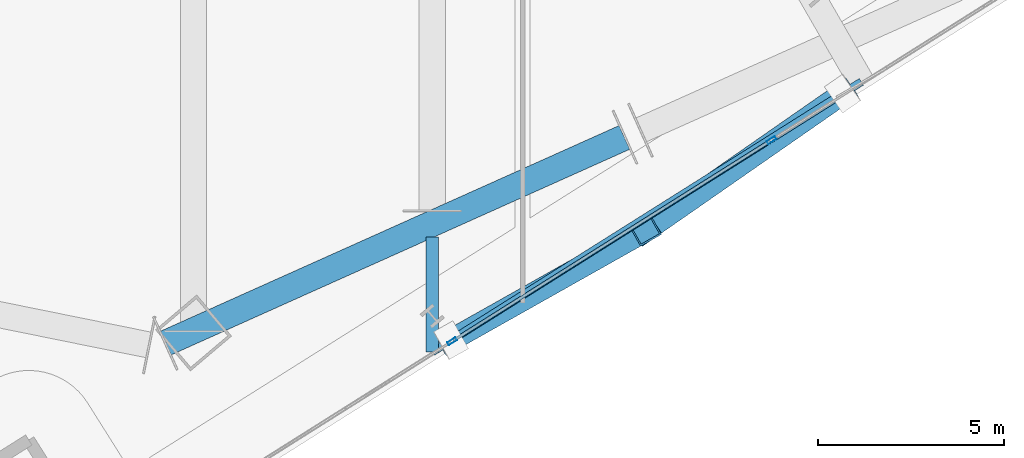
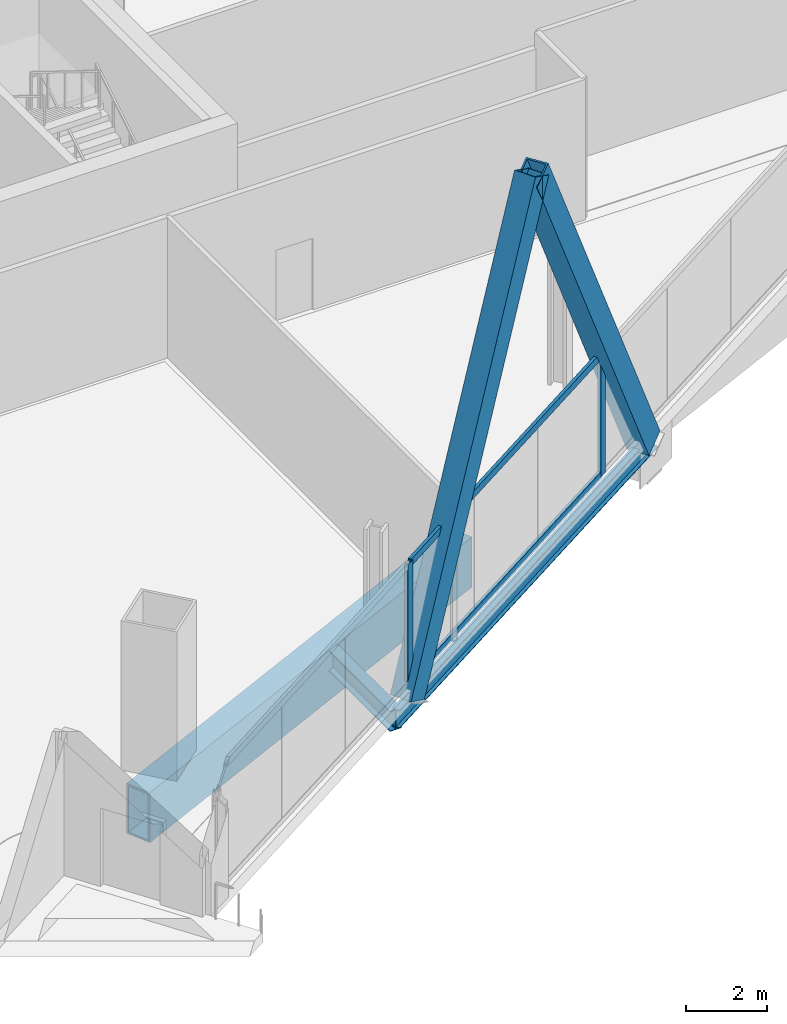
# One storey, part 5 of 29: 6 members, 3 beams, 1 element without a shape of its own.
"""IFC4 building model written with IfcOpenShell, lengths in metres."""

from ifc_helpers import new_model, si_unit, direction, frame, origin, origin_2d, place, context, subcontext, project, spatial, hollow_rectangle, i_section, extrude, material, material_profile, profile_set, type_object, element, aggregate, save


model = new_model("IFC4")

# Units and contexts
model_context = context("Model", 3, precision=1e-05, world=origin(), true_north=direction((0.0, 1.0)))
body_context = subcontext(model_context, "Body", "Model", "MODEL_VIEW")
ifc_project = project(units=[si_unit("LENGTHUNIT", "METRE"), si_unit("AREAUNIT", "SQUARE_METRE"), si_unit("VOLUMEUNIT", "CUBIC_METRE"), si_unit("PLANEANGLEUNIT", "RADIAN"), si_unit("MASSUNIT", "GRAM", prefix="KILO")], contexts=[model_context])

# Site, building, storey
site_placement = place(None, origin())
site = spatial("IfcSite", under=ifc_project, at=site_placement, CompositionType="ELEMENT")
building_placement = place(site_placement, origin())
building = spatial("IfcBuilding", under=site, at=building_placement, Name="Haldenkirk Collegiate Tower", CompositionType="ELEMENT")
storey_placement = place(building_placement, frame((0.0, 0.0, 136.199951171875)))
storey = spatial("IfcBuildingStorey", under=building, at=storey_placement, Name="L33", CompositionType="ELEMENT", Elevation=136.199951171875)

# Beams
ifc_material_1 = material(Name="Steel ASTM A992 Grade 50", Category="steel")
ifc_material_profile_1 = material_profile(ifc_material_1, i_section(OverallWidth=0.324951171875, OverallDepth=0.615966796875, WebThickness=0.013916015625, FlangeThickness=0.021484375, at=origin_2d()), Name="W24X117")
ifc_profile_set_1 = profile_set([ifc_material_profile_1], Name="Steel ASTM A992 Grade 50")
beam_type_1 = type_object("IfcBeamType", Name="BM-GIRDER-W24X117", PredefinedType="BEAM", material=ifc_profile_set_1)
beam_1_placement = place(storey_placement, frame((39.568603515625, 3.239501953125, -0.7080078125), z_axis=(0.0, -1.0, 0.0), x_axis=(1.0, 0.0, 0.0)))
element("IfcBeam", 1, at=beam_1_placement, inside=storey, type_object=beam_type_1, Name="L33 facade lookout girder 05", PredefinedType="BEAM", context=body_context, shape_type="SweptSolid", body=[
    extrude(i_section(OverallWidth=0.324951171875, OverallDepth=0.615966796875, WebThickness=0.013916015625, FlangeThickness=0.021484375, at=origin_2d()), origin(), (0.0, 0.0, 1.0), 3.094482421875),
])
ifc_material_profile_2 = material_profile(ifc_material_1, i_section(OverallWidth=0.2119140625, OverallDepth=0.5439453125, WebThickness=0.01318359375, FlangeThickness=0.021240234375, at=origin_2d()), Name="W21X83")
ifc_profile_set_2 = profile_set([ifc_material_profile_2], Name="Steel ASTM A992 Grade 50")
beam_type_2 = type_object("IfcBeamType", Name="BM-SPANDREL-W21X83", PredefinedType="SPANDREL", material=ifc_profile_set_2)
beam_2_placement = place(storey_placement, frame((39.568603515625, 0.14501953125, -0.671875), z_axis=(0.846193969754, 0.532874999932, 0.0), x_axis=(-0.532874999932, 0.846193969754, 0.0)))
element("IfcBeam", 2, at=beam_2_placement, inside=storey, type_object=beam_type_2, Name="L33 outer facade edge beam 1", PredefinedType="SPANDREL", context=body_context, shape_type="SweptSolid", body=[
    extrude(i_section(OverallWidth=0.2119140625, OverallDepth=0.5439453125, WebThickness=0.01318359375, FlangeThickness=0.021240234375, at=origin_2d()), origin(), (0.0, 0.0, 1.0), 13.63623046875),
])
ifc_material_2 = material(Name="Steel ASTM A572 Grade 50", Category="steel")
ifc_material_profile_3 = material_profile(ifc_material_2, hollow_rectangle(XDim=0.699951171875, YDim=1.5, WallThickness=0.06005859375, at=origin_2d()), Name="BOX1500X700X60")
ifc_profile_set_3 = profile_set([ifc_material_profile_3], Name="Steel ASTM A572 Grade 50")
beam_type_3 = type_object("IfcBeamType", Name="BM-TRANSFER-BOX1500X700X60", PredefinedType="BEAM", material=ifc_profile_set_3)
beam_3_placement = place(storey_placement, frame((32.405517578125, 0.3876953125, -1.14990234375), z_axis=(0.912476765144, 0.409128528793, 0.0), x_axis=(-0.409128528793, 0.912476765144, 0.0)))
element("IfcBeam", 3, at=beam_3_placement, inside=storey, type_object=beam_type_3, Name="L33 sky-lobby perimeter transfer girder 02", PredefinedType="BEAM", context=body_context, shape_type="SweptSolid", body=[
    extrude(hollow_rectangle(XDim=0.699951171875, YDim=1.5, WallThickness=0.06005859375, at=origin_2d()), origin(), (0.0, 0.0, 1.0), 13.512939453125),
])

# Curtain wall, members
ifc_material_3 = material(Name="Anodised architectural bronze aluminium", Category="aluminium")
curtain_wall_type = type_object("IfcCurtainWallType", Name="CW-SYS4-SKYGARDEN", PredefinedType="USERDEFINED", material=ifc_material_3)
curtain_wall_placement = place(storey_placement, origin())
curtain_wall = element("IfcCurtainWall", 4, at=curtain_wall_placement, inside=storey, type_object=curtain_wall_type, Name="L33 Sky-garden tall bronze curtain wall", ObjectType="UNITISED CURTAIN WALL", PredefinedType="USERDEFINED")
ifc_material_profile_4 = material_profile(ifc_material_3, hollow_rectangle(XDim=0.090087890625, YDim=0.260009765625, WallThickness=0.0048828125, at=origin_2d()), Name="CW-MUL-04")
ifc_profile_set_4 = profile_set([ifc_material_profile_4], Name="Anodised architectural bronze aluminium")
member_type_1 = type_object("IfcMemberType", Name="CW-MUL-04", PredefinedType="MULLION", material=ifc_profile_set_4)
member_1_placement = place(storey_placement, frame((48.693115234375, 5.84375, 0.0), z_axis=(0.0, 0.0, 1.0), x_axis=(0.532875393956, -0.846193721624, 0.0)))
member_1 = element("IfcMember", 5, at=member_1_placement, type_object=member_type_1, Name="CW-04 mullion 3", PredefinedType="MULLION", context=body_context, shape_type="SweptSolid", body=[
    extrude(hollow_rectangle(XDim=0.090087890625, YDim=0.260009765625, WallThickness=0.0048828125, at=origin_2d()), origin(), (0.0, 0.0, 1.0), 3.6611328125),
])
member_2_placement = place(storey_placement, frame((40.104248046875, 0.43505859375, 0.0), z_axis=(0.0, 0.0, 1.0), x_axis=(0.532875393956, -0.846193721624, 0.0)))
member_2 = element("IfcMember", 6, at=member_2_placement, type_object=member_type_1, Name="CW-04 mullion 4", PredefinedType="MULLION", context=body_context, shape_type="SweptSolid", body=[
    extrude(hollow_rectangle(XDim=0.090087890625, YDim=0.260009765625, WallThickness=0.0048828125, at=origin_2d()), origin(), (0.0, 0.0, 1.0), 3.6611328125),
])
ifc_material_profile_5 = material_profile(ifc_material_3, hollow_rectangle(XDim=0.090087890625, YDim=0.2099609375, WallThickness=0.0048828125, at=origin_2d()), Name="CW-TRN-04")
ifc_profile_set_5 = profile_set([ifc_material_profile_5], Name="Anodised architectural bronze aluminium")
member_type_2 = type_object("IfcMemberType", Name="CW-TRN-04", PredefinedType="USERDEFINED", material=ifc_profile_set_5)
member_3_placement = place(storey_placement, frame((48.655029296875, 5.819580078125, 0.045166015625), z_axis=(-0.846199200818, -0.532866693024, 0.0), x_axis=(0.532866693024, -0.846199200818, 0.0)))
member_3 = element("IfcMember", 7, at=member_3_placement, type_object=member_type_2, Name="CW-04 transom 3.1", ObjectType="TRANSOM", PredefinedType="USERDEFINED", context=body_context, shape_type="SweptSolid", body=[
    extrude(hollow_rectangle(XDim=0.090087890625, YDim=0.2099609375, WallThickness=0.0048828125, at=origin_2d()), origin(), (0.0, 0.0, 1.0), 10.059814453125),
])
member_4_placement = place(storey_placement, frame((48.655029296875, 5.819580078125, 3.615966796875), z_axis=(-0.846199200818, -0.532866693024, 0.0), x_axis=(0.532866693024, -0.846199200818, 0.0)))
member_4 = element("IfcMember", 8, at=member_4_placement, type_object=member_type_2, Name="CW-04 transom 3.2", ObjectType="TRANSOM", PredefinedType="USERDEFINED", context=body_context, shape_type="SweptSolid", body=[
    extrude(hollow_rectangle(XDim=0.090087890625, YDim=0.2099609375, WallThickness=0.0048828125, at=origin_2d()), origin(), (0.0, 0.0, 1.0), 10.059814453125),
])
aggregate(curtain_wall, [member_1, member_2, member_3, member_4])

# Members
ifc_material_profile_6 = material_profile(ifc_material_2, hollow_rectangle(XDim=0.60009765625, YDim=0.719970703125, WallThickness=0.044921875, at=origin_2d()), Name="BOX720X600X45")
ifc_profile_set_6 = profile_set([ifc_material_profile_6], Name="Steel ASTM A572 Grade 50")
member_type_3 = type_object("IfcMemberType", Name="MBR-MEGABRACE-BOX720X600X45", PredefinedType="BRACE", material=ifc_profile_set_6)
member_5_placement = place(storey_placement, frame((40.076416015625, 0.464599609375, -0.409912109375), z_axis=(0.386892173947, 0.217922643874, 0.89600455748), x_axis=(-0.490767186183, 0.871290748812, 0.0)))
element("IfcMember", 9, at=member_5_placement, inside=storey, type_object=member_type_3, Name="Perimeter Mega Brace Z3 L33-L35 SL", PredefinedType="BRACE", context=body_context, shape_type="SweptSolid", body=[
    extrude(hollow_rectangle(XDim=0.60009765625, YDim=0.719970703125, WallThickness=0.044921875, at=origin_2d()), origin(), (0.0, 0.0, 1.0), 13.515380859375),
])
member_6_placement = place(storey_placement, frame((50.599609375, 7.091552734375, -0.409912109375), z_axis=(-0.385880725708, -0.268345923158, 0.882658785178), x_axis=(0.570931367226, -0.820997791664, 0.0)))
element("IfcMember", 10, at=member_6_placement, inside=storey, type_object=member_type_3, Name="Perimeter Mega Brace Z3 L33-L35 SR", PredefinedType="BRACE", context=body_context, shape_type="SweptSolid", body=[
    extrude(hollow_rectangle(XDim=0.60009765625, YDim=0.719970703125, WallThickness=0.044921875, at=origin_2d()), origin(), (0.0, 0.0, 1.0), 13.7197265625),
])

save(model, "model.ifc")
